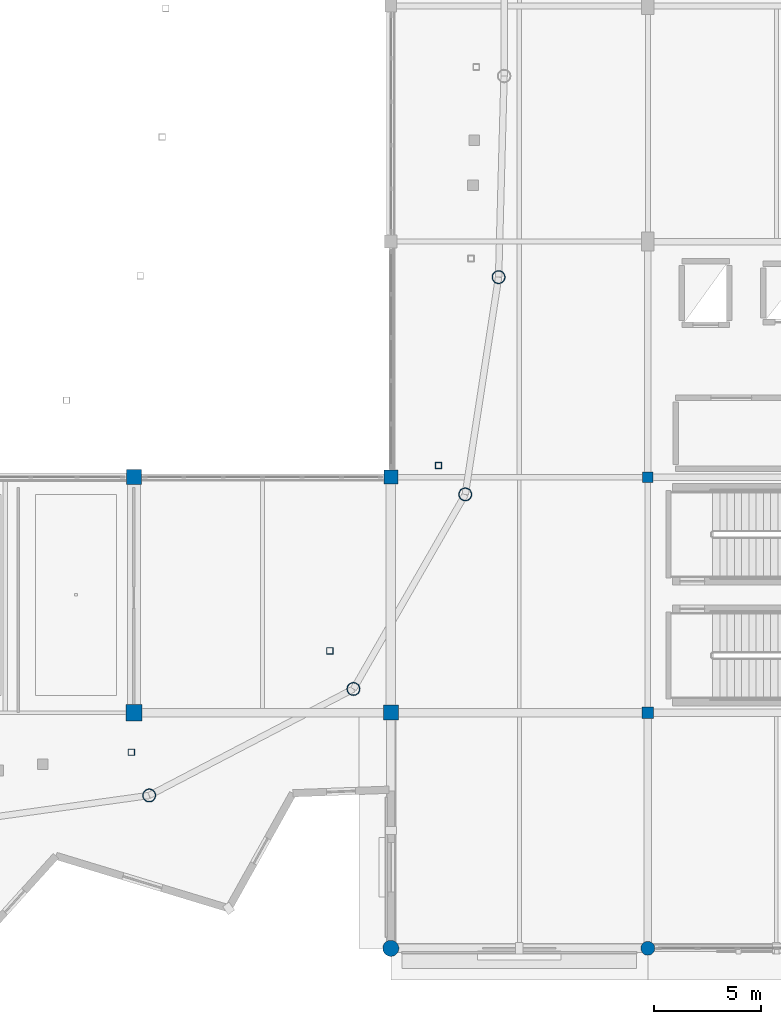
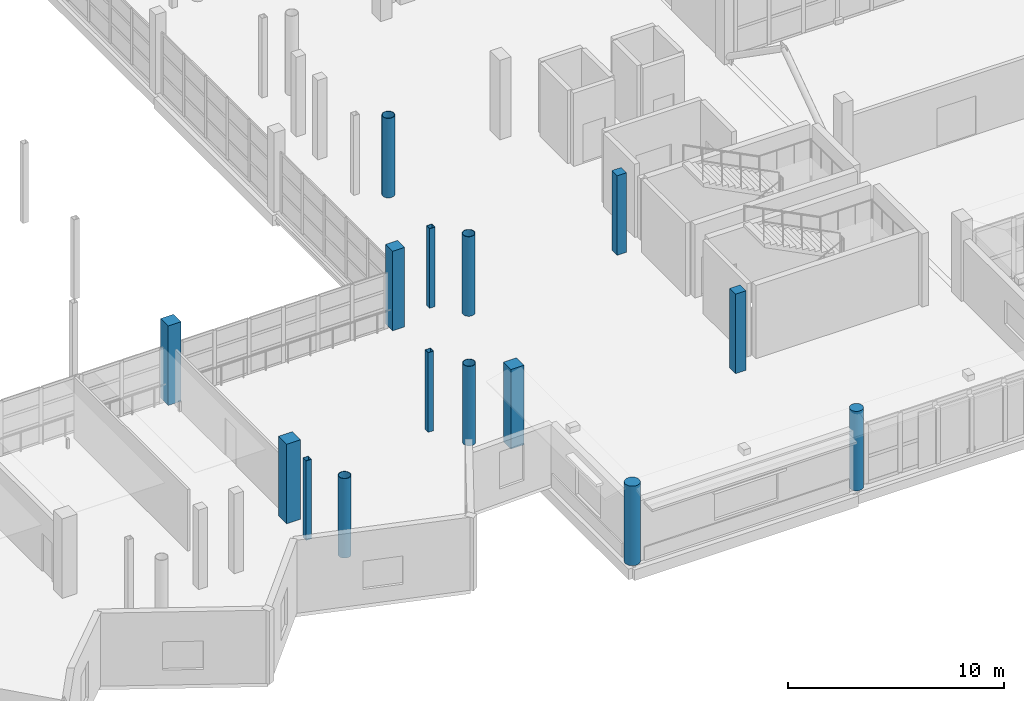
# One storey, part 15 of 118: 15 columns.
"""IFC4 building model written with IfcOpenShell, lengths in metres."""

import ifcopenshell
import ifcopenshell.guid

model = None  # the IFC model being written
_history = None  # IfcOwnerHistory: only IFC2X3 demands one
_inside = {}  # id of a spatial element -> (the spatial element, [elements in it])
_under = {}  # id of a project, library or spatial element -> (it, [spatial elements below it])
_declared = {}  # id of a project -> (the project, [libraries it declares])
_typed = {}  # id of a type object -> (the type object, [elements of that type])
_made_of = {}  # id of a material, layer set ... -> (it, [elements and type objects made of it])


def new_model(schema):
    """Start an empty IFC model of exactly this schema.

    Asked for "IFC4X3", IfcOpenShell would pick the latest addendum, in which some entities
    have other attributes; the version numbers below select the first issue.
    IFC2X3 requires an IfcOwnerHistory on every rooted entity: one is made here for all.
    """
    global model, _history
    if schema == "IFC4X3":
        model = ifcopenshell.file(schema_version=(4, 3, 0, 0))
    else:
        model = ifcopenshell.file(schema=schema)
    _inside.clear()
    _under.clear()
    _declared.clear()
    _typed.clear()
    _made_of.clear()
    _history = None
    if model.schema == "IFC2X3":
        org = make("IfcOrganization", Name="unknown")
        user = make(
            "IfcPersonAndOrganization",
            ThePerson=make("IfcPerson", FamilyName="unknown"),
            TheOrganization=org,
        )
        app = make(
            "IfcApplication",
            ApplicationDeveloper=org,
            Version="unknown",
            ApplicationFullName="unknown",
            ApplicationIdentifier="unknown",
        )
        _history = make(
            "IfcOwnerHistory",
            OwningUser=user,
            OwningApplication=app,
            ChangeAction="ADDED",
            CreationDate=0,
        )
    return model


def make(cls, **values):
    """One entity of the class cls with the attributes given. An attribute that is None is left unset."""
    return model.create_entity(
        cls, **{name: value for name, value in values.items() if value is not None}
    )


def rooted(cls, **values):
    """An entity with a GlobalId (a new one), such as an element, a storey or a relation."""
    return make(cls, GlobalId=ifcopenshell.guid.new(), OwnerHistory=_history, **values)


def si_unit(unit_type, name, prefix=None):
    """IfcSIUnit, for example si_unit("LENGTHUNIT", "METRE", prefix="MILLI")."""
    return make("IfcSIUnit", UnitType=unit_type, Prefix=prefix, Name=name)


def assignment(units):
    """IfcUnitAssignment: the units of a project."""
    return None if units is None else make("IfcUnitAssignment", Units=units)


def point(xyz):
    """IfcCartesianPoint."""
    return None if xyz is None else make("IfcCartesianPoint", Coordinates=xyz)


def direction(xyz):
    """IfcDirection."""
    return None if xyz is None else make("IfcDirection", DirectionRatios=xyz)


def frame(location, z_axis=None, x_axis=None):
    """IfcAxis2Placement3D, a coordinate frame: its origin and axes. An axis left out is left unset."""
    return make(
        "IfcAxis2Placement3D",
        Location=point(location),
        Axis=direction(z_axis),
        RefDirection=direction(x_axis),
    )


def frame_2d(location, x_axis=None):
    """IfcAxis2Placement2D, a coordinate frame in the plane: its origin and x axis."""
    return make(
        "IfcAxis2Placement2D", Location=point(location), RefDirection=direction(x_axis)
    )


def origin():
    """The frame at (0, 0, 0) with its axes left unset."""
    return frame((0.0, 0.0, 0.0))


def origin_2d():
    """The frame at (0, 0) in the plane with its x axis left unset."""
    return frame_2d((0.0, 0.0))


def place(relative_to, where):
    """IfcLocalPlacement: puts the frame where relative to a parent placement (None: the world)."""
    return make(
        "IfcLocalPlacement", PlacementRelTo=relative_to, RelativePlacement=where
    )


def context(
    kind, dimensions, precision=None, world=None, true_north=None, identifier=None
):
    """IfcGeometricRepresentationContext, for example the 3D "Model" context."""
    return make(
        "IfcGeometricRepresentationContext",
        ContextIdentifier=identifier,
        ContextType=kind,
        CoordinateSpaceDimension=dimensions,
        Precision=precision,
        WorldCoordinateSystem=world,
        TrueNorth=true_north,
    )


def subcontext(parent, identifier, kind, view, scale=None):
    """IfcGeometricRepresentationSubContext, for example "Body" below "Model"."""
    return make(
        "IfcGeometricRepresentationSubContext",
        ContextIdentifier=identifier,
        ContextType=kind,
        ParentContext=parent,
        TargetScale=scale,
        TargetView=view,
    )


def project(units=None, contexts=None):
    """IfcProject with its units and contexts."""
    return rooted(
        "IfcProject",
        Name="project",
        RepresentationContexts=contexts,
        UnitsInContext=assignment(units),
    )


def spatial(cls, under=None, at=None, **own):
    """A site, building, storey or space (cls), placed at a placement, below another one or the project."""
    s = rooted(cls, ObjectPlacement=at, **own)
    if under is not None:
        _under.setdefault(under.id(), (under, []))[1].append(s)
    return s


def profile(cls, at=None, kind="AREA", **sizes):
    """A parametric profile (cls). Its sizes go by their IFC names, for example OverallWidth=200.0."""
    return make(cls, ProfileType=kind, Position=at, **sizes)


def rectangle(**sizes):
    """IfcRectangleProfileDef."""
    return profile("IfcRectangleProfileDef", **sizes)


def hollow_rectangle(**sizes):
    """IfcRectangleHollowProfileDef."""
    return profile("IfcRectangleHollowProfileDef", **sizes)


def circle(**sizes):
    """IfcCircleProfileDef."""
    return profile("IfcCircleProfileDef", **sizes)


def hollow_circle(**sizes):
    """IfcCircleHollowProfileDef."""
    return profile("IfcCircleHollowProfileDef", **sizes)


def extrude(swept, where, along, depth):
    """IfcExtrudedAreaSolid: the profile swept, set in the frame where, extruded along a direction by depth."""
    return make(
        "IfcExtrudedAreaSolid",
        SweptArea=swept,
        Position=where,
        ExtrudedDirection=direction(along),
        Depth=depth,
    )


def shape(context_of_items, identifier, shape_type, items):
    """IfcShapeRepresentation: the items that make up one representation, for example the "Body"."""
    return make(
        "IfcShapeRepresentation",
        ContextOfItems=context_of_items,
        RepresentationIdentifier=identifier,
        RepresentationType=shape_type,
        Items=items,
    )


def material(Name=None, Category=None):
    """IfcMaterial."""
    return make("IfcMaterial", Name=Name, Category=Category)


def material_profile(
    of_material, cross_section, Name=None, Category=None, Priority=None
):
    """IfcMaterialProfile: a cross section and its material."""
    return make(
        "IfcMaterialProfile",
        Name=Name,
        Material=of_material,
        Profile=cross_section,
        Priority=Priority,
        Category=Category,
    )


def profile_set(profiles, Name=None, composite=None):
    """IfcMaterialProfileSet."""
    return make(
        "IfcMaterialProfileSet",
        Name=Name,
        MaterialProfiles=profiles,
        CompositeProfile=composite,
    )


def made_of(thing, what):
    """Note that an element or type object is made of a material, layer set ...; save() writes the relation."""
    if what is not None:
        _made_of.setdefault(what.id(), (what, []))[1].append(thing)
    return thing


def type_object(cls, material=None, **own):
    """A type object (cls), such as IfcWallType, which elements share."""
    return made_of(rooted(cls, **own), material)


def element(
    cls,
    number,
    at=None,
    inside=None,
    cuts=None,
    type_object=None,
    material=None,
    context=None,
    identifier="Body",
    shape_type=None,
    held_by="IfcProductDefinitionShape",
    body=None,
    shapes=None,
    **own,
):
    """One element of the class cls, such as IfcWall. Its Tag is "e" and its number.

    at: its placement. inside: the storey or other place that contains it. cuts: it is an
    opening in that element (IfcRelVoidsElement). A single representation is given by context,
    identifier, shape_type and body (its items); several are given by shapes. held_by: the class
    of the entity that holds the representations. save() writes the other relations.
    """
    e = rooted(cls, Tag="e%d" % number, ObjectPlacement=at, **own)
    if body is not None:
        shapes = [shape(context, identifier, shape_type, body)]
    if shapes is not None:
        e.Representation = make(held_by, Representations=shapes)
    if inside is not None:
        _inside.setdefault(inside.id(), (inside, []))[1].append(e)
    if cuts is not None:
        rooted(
            "IfcRelVoidsElement", RelatingBuildingElement=cuts, RelatedOpeningElement=e
        )
    if type_object is not None:
        _typed.setdefault(type_object.id(), (type_object, []))[1].append(e)
    return made_of(e, material)


def aggregate(whole, parts):
    """IfcRelAggregates: a whole, such as a stair, and the parts it consists of."""
    return rooted("IfcRelAggregates", RelatingObject=whole, RelatedObjects=parts)


def save(model, path):
    """Write the relations noted so far, then the file.

    IfcRelAggregates (storeys below a building ...), IfcRelContainedInSpatialStructure (elements
    in a storey), IfcRelDefinesByType, IfcRelAssociatesMaterial and IfcRelDeclares: one each for
    every whole, place, type object, material and project.
    """
    for whole, parts in _under.values():
        aggregate(whole, parts)
    for where, things in _inside.values():
        rooted(
            "IfcRelContainedInSpatialStructure",
            RelatedElements=things,
            RelatingStructure=where,
        )
    for kind, things in _typed.values():
        rooted("IfcRelDefinesByType", RelatedObjects=things, RelatingType=kind)
    for what, things in _made_of.values():
        rooted("IfcRelAssociatesMaterial", RelatedObjects=things, RelatingMaterial=what)
    for by, libraries in _declared.values():
        rooted("IfcRelDeclares", RelatingContext=by, RelatedDefinitions=libraries)
    model.write(path)


model = new_model("IFC4")

# Units and contexts
model_context = context("Model", 3, precision=1e-05, world=origin(), true_north=direction((0.0, 1.0)))
body_context = subcontext(model_context, "Body", "Model", "MODEL_VIEW")
ifc_project = project(units=[si_unit("LENGTHUNIT", "METRE"), si_unit("AREAUNIT", "SQUARE_METRE"), si_unit("VOLUMEUNIT", "CUBIC_METRE"), si_unit("PLANEANGLEUNIT", "RADIAN"), si_unit("MASSUNIT", "GRAM", prefix="KILO")], contexts=[model_context])

# Site, building, storey
site_placement = place(None, origin())
site = spatial("IfcSite", under=ifc_project, at=site_placement, CompositionType="ELEMENT")
building_placement = place(site_placement, origin())
building = spatial("IfcBuilding", under=site, at=building_placement, Name="Luwafu Chhajja Arena", CompositionType="ELEMENT")
storey_placement = place(building_placement, frame((0.0, 0.0, 10.199951171875)))
storey = spatial("IfcBuildingStorey", under=building, at=storey_placement, Name="L02", CompositionType="ELEMENT", Elevation=10.199951171875)

# Columns
ifc_material_1 = material(Name="Concrete C35/45", Category="concrete")
ifc_material_profile_1 = material_profile(ifc_material_1, circle(Radius=0.375, at=origin_2d()), Name="RC COL D750")
ifc_profile_set_1 = profile_set([ifc_material_profile_1], Name="Concrete C35/45")
column_type_1 = type_object("IfcColumnType", Name="Charbagh Cloister Pier D750", PredefinedType="COLUMN", material=ifc_profile_set_1)
column_1_placement = place(storey_placement, frame((140.0, 0.0, 0.0), z_axis=(0.0, 0.0, 1.0), x_axis=(1.0, 0.0, 0.0)))
element("IfcColumn", 1, at=column_1_placement, inside=storey, type_object=column_type_1, Name="L02 Grid Column 13/A", PredefinedType="COLUMN", context=body_context, shape_type="SweptSolid", body=[
    extrude(circle(Radius=0.375, at=origin_2d()), origin(), (0.0, 0.0, 1.0), 4.5),
])
ifc_material_profile_2 = material_profile(ifc_material_1, circle(Radius=0.324951171875, at=origin_2d()), Name="RC COL D650")
ifc_profile_set_2 = profile_set([ifc_material_profile_2], Name="Concrete C35/45")
column_type_2 = type_object("IfcColumnType", Name="Courtyard Arcade Pier D650", PredefinedType="COLUMN", material=ifc_profile_set_2)
column_2_placement = place(storey_placement, frame((152.0, 0.0, 0.0), z_axis=(0.0, 0.0, 1.0), x_axis=(1.0, 0.0, 0.0)))
element("IfcColumn", 2, at=column_2_placement, inside=storey, type_object=column_type_2, Name="L02 Grid Column 14/A", PredefinedType="COLUMN", context=body_context, shape_type="SweptSolid", body=[
    extrude(circle(Radius=0.324951171875, at=origin_2d()), origin(), (0.0, 0.0, 1.0), 4.5),
])
ifc_material_profile_3 = material_profile(ifc_material_1, rectangle(XDim=0.550048828125, YDim=0.550048828125, at=origin_2d()), Name="RC 550x550")
ifc_profile_set_3 = profile_set([ifc_material_profile_3], Name="Concrete C35/45")
column_type_3 = type_object("IfcColumnType", Name="Gallery Column RC 550", PredefinedType="COLUMN", material=ifc_profile_set_3)
column_3_placement = place(storey_placement, frame((152.0, 11.0, 0.0), z_axis=(0.0, 0.0, 1.0), x_axis=(1.0, 0.0, 0.0)))
element("IfcColumn", 3, at=column_3_placement, inside=storey, type_object=column_type_3, Name="L02 Grid Column 14/B", PredefinedType="COLUMN", context=body_context, shape_type="SweptSolid", body=[
    extrude(rectangle(XDim=0.550048828125, YDim=0.550048828125, at=origin_2d()), origin(), (0.0, 0.0, 1.0), 4.5),
])
ifc_material_profile_4 = material_profile(ifc_material_1, rectangle(XDim=0.75, YDim=0.75, at=origin_2d()), Name="RC 750x750")
ifc_profile_set_4 = profile_set([ifc_material_profile_4], Name="Concrete C35/45")
column_type_4 = type_object("IfcColumnType", Name="Hospitality Ring Column RC 750", PredefinedType="COLUMN", material=ifc_profile_set_4)
column_4_placement = place(storey_placement, frame((128.0, 11.0, 0.0), z_axis=(0.0, 0.0, 1.0), x_axis=(1.0, 0.0, 0.0)))
element("IfcColumn", 4, at=column_4_placement, inside=storey, type_object=column_type_4, Name="L02 Grid Column 12/B", PredefinedType="COLUMN", context=body_context, shape_type="SweptSolid", body=[
    extrude(rectangle(XDim=0.75, YDim=0.75, at=origin_2d()), origin(), (0.0, 0.0, 1.0), 4.5),
])
ifc_material_profile_5 = material_profile(ifc_material_1, rectangle(XDim=0.5, YDim=0.5, at=origin_2d()), Name="RC 500x500")
ifc_profile_set_5 = profile_set([ifc_material_profile_5], Name="Concrete C35/45")
column_type_5 = type_object("IfcColumnType", Name="Pavilion Column RC 500", PredefinedType="COLUMN", material=ifc_profile_set_5)
column_5_placement = place(storey_placement, frame((152.0, 22.0, 0.0), z_axis=(0.0, 0.0, 1.0), x_axis=(1.0, 0.0, 0.0)))
element("IfcColumn", 5, at=column_5_placement, inside=storey, type_object=column_type_5, Name="L02 Grid Column 14/C", PredefinedType="COLUMN", context=body_context, shape_type="SweptSolid", body=[
    extrude(rectangle(XDim=0.5, YDim=0.5, at=origin_2d()), origin(), (0.0, 0.0, 1.0), 4.5),
])
ifc_material_2 = material(Name="Steel S355", Category="steel")
ifc_material_profile_6 = material_profile(ifc_material_2, hollow_circle(Radius=0.304931640625, WallThickness=0.02490234375, at=origin_2d()), Name="CHS 610x25")
ifc_profile_set_6 = profile_set([ifc_material_profile_6], Name="Steel S355")
column_type_6 = type_object("IfcColumnType", Name="Steel Bowl Drum Column CHS 610", PredefinedType="COLUMN", material=ifc_profile_set_6)
for number, where, z_axis, x_axis, name in (
    (6, (128.718017578125, 7.13720703125, 0.0), (0.0, 0.0, 1.0), (1.0, 0.0, 0.0), "L02 Bowl Drum Column D28"),
    (7, (138.256103515625, 12.109130859375, 0.0), (0.0, 0.0, 1.0), (1.0, 0.0, 0.0), "L02 Bowl Drum Column D29"),
    (8, (143.47607421875, 21.194091796875, 0.0), (0.0, 0.0, 1.0), (1.0, 0.0, 0.0), "L02 Bowl Drum Column D30"),
    (9, (145.031982421875, 31.3388671875, 0.0), (0.0, 0.0, 1.0), (1.0, 0.0, 0.0), "L02 Bowl Drum Column D31"),
):
    element("IfcColumn", number, at=place(storey_placement, frame(where, z_axis=z_axis, x_axis=x_axis)), inside=storey, type_object=column_type_6, Name=name, PredefinedType="COLUMN", context=body_context, shape_type="SweptSolid", body=[
        extrude(hollow_circle(Radius=0.304931640625, WallThickness=0.02490234375, at=origin_2d()), origin(), (0.0, 0.0, 1.0), 4.5),
    ])
ifc_material_profile_7 = material_profile(ifc_material_2, hollow_rectangle(XDim=0.300048828125, YDim=0.300048828125, WallThickness=0.01611328125, at=origin_2d()), Name="SHS 300x300x16")
ifc_profile_set_7 = profile_set([ifc_material_profile_7], Name="Steel S355")
column_type_7 = type_object("IfcColumnType", Name="Steel Gallery Post SHS 300", PredefinedType="COLUMN", material=ifc_profile_set_7)
for number, where, z_axis, x_axis, name in (
    (10, (127.883544921875, 9.154541015625, 0.0), (0.0, 0.0, 1.0), (1.0, 0.0, 0.0), "L02 Upper Bowl Raker Column UO28"),
    (11, (137.15380859375, 13.8896484375, 0.0), (0.0, 0.0, 1.0), (1.0, 0.0, 0.0), "L02 Upper Bowl Raker Column UO29"),
    (12, (142.227294921875, 22.5419921875, 0.0), (0.0, 0.0, 1.0), (1.0, 0.0, 0.0), "L02 Upper Bowl Raker Column UO30"),
):
    element("IfcColumn", number, at=place(storey_placement, frame(where, z_axis=z_axis, x_axis=x_axis)), inside=storey, type_object=column_type_7, Name=name, PredefinedType="COLUMN", context=body_context, shape_type="SweptSolid", body=[
        extrude(hollow_rectangle(XDim=0.300048828125, YDim=0.300048828125, WallThickness=0.01611328125, at=origin_2d()), origin(), (0.0, 0.0, 1.0), 4.5),
    ])
ifc_material_profile_8 = material_profile(ifc_material_1, rectangle(XDim=0.64990234375, YDim=0.64990234375, at=origin_2d()), Name="RC 650x650")
ifc_profile_set_8 = profile_set([ifc_material_profile_8], Name="Concrete C35/45")
column_type_8 = type_object("IfcColumnType", Name="Upper Wing Column RC 650", PredefinedType="COLUMN", material=ifc_profile_set_8)
column_6_placement = place(storey_placement, frame((140.0, 22.0, 0.0), z_axis=(0.0, 0.0, 1.0), x_axis=(1.0, 0.0, 0.0)))
element("IfcColumn", 13, at=column_6_placement, inside=storey, type_object=column_type_8, Name="L02 Grid Column 13/C", PredefinedType="COLUMN", context=body_context, shape_type="SweptSolid", body=[
    extrude(rectangle(XDim=0.64990234375, YDim=0.64990234375, at=origin_2d()), origin(), (0.0, 0.0, 1.0), 4.5),
])
ifc_material_profile_9 = material_profile(ifc_material_1, rectangle(XDim=0.699951171875, YDim=0.699951171875, at=origin_2d()), Name="RC 700x700")
ifc_profile_set_9 = profile_set([ifc_material_profile_9], Name="Concrete C35/45")
column_type_9 = type_object("IfcColumnType", Name="Wing Frame Column RC 700", PredefinedType="COLUMN", material=ifc_profile_set_9)
for number, where, z_axis, x_axis, name in (
    (14, (128.0, 22.0, 0.0), (0.0, 0.0, 1.0), (1.0, 0.0, 0.0), "L02 Grid Column 12/C"),
    (15, (140.0, 11.0, 0.0), (0.0, 0.0, 1.0), (1.0, 0.0, 0.0), "L02 Grid Column 13/B"),
):
    element("IfcColumn", number, at=place(storey_placement, frame(where, z_axis=z_axis, x_axis=x_axis)), inside=storey, type_object=column_type_9, Name=name, PredefinedType="COLUMN", context=body_context, shape_type="SweptSolid", body=[
        extrude(rectangle(XDim=0.699951171875, YDim=0.699951171875, at=origin_2d()), origin(), (0.0, 0.0, 1.0), 4.5),
    ])

save(model, "model.ifc")
